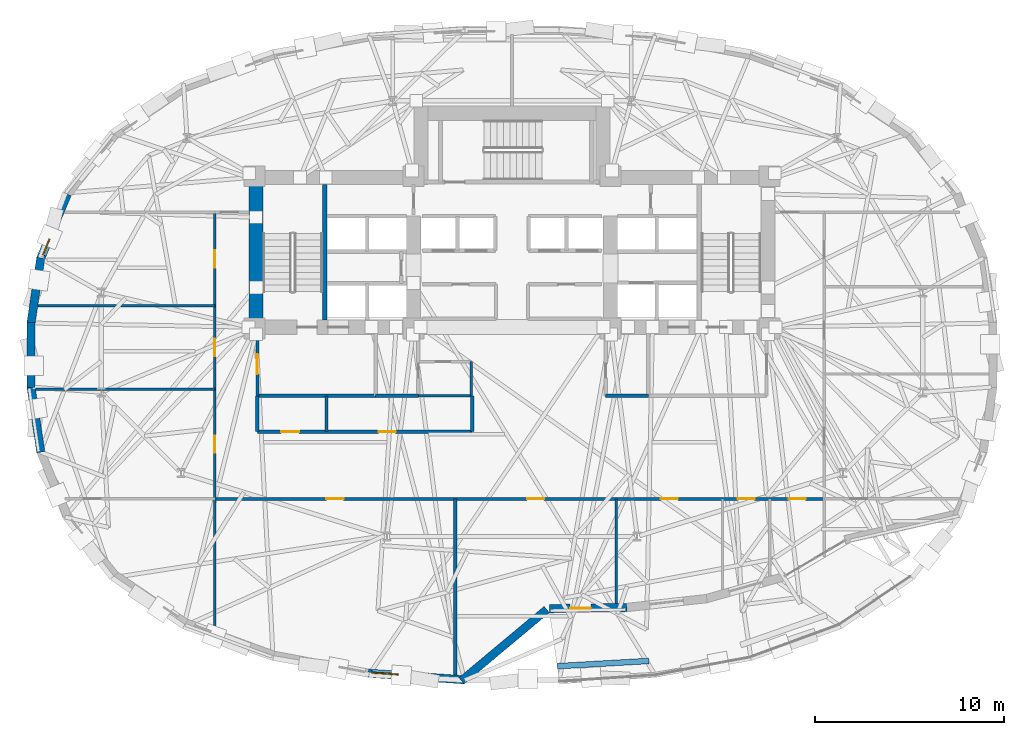
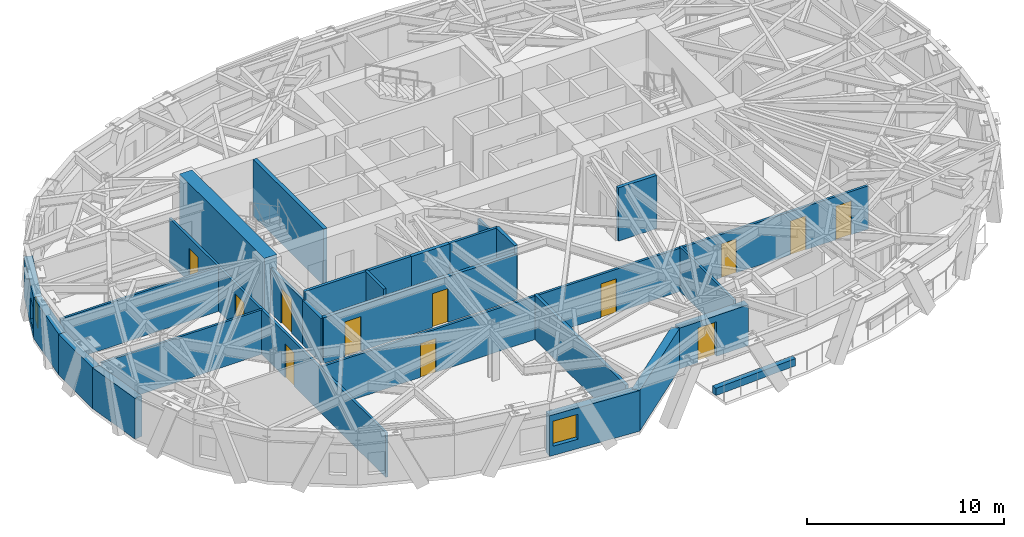
# One storey, part 7 of 14: 26 walls, 12 doors, 2 windows, 14 openings.
"""IFC4 building model written with IfcOpenShell, lengths in metres."""

import ifcopenshell
import ifcopenshell.guid

model = None  # the IFC model being written
_history = None  # IfcOwnerHistory: only IFC2X3 demands one
_inside = {}  # id of a spatial element -> (the spatial element, [elements in it])
_under = {}  # id of a project, library or spatial element -> (it, [spatial elements below it])
_declared = {}  # id of a project -> (the project, [libraries it declares])
_typed = {}  # id of a type object -> (the type object, [elements of that type])
_made_of = {}  # id of a material, layer set ... -> (it, [elements and type objects made of it])


def new_model(schema):
    """Start an empty IFC model of exactly this schema.

    Asked for "IFC4X3", IfcOpenShell would pick the latest addendum, in which some entities
    have other attributes; the version numbers below select the first issue.
    IFC2X3 requires an IfcOwnerHistory on every rooted entity: one is made here for all.
    """
    global model, _history
    if schema == "IFC4X3":
        model = ifcopenshell.file(schema_version=(4, 3, 0, 0))
    else:
        model = ifcopenshell.file(schema=schema)
    _inside.clear()
    _under.clear()
    _declared.clear()
    _typed.clear()
    _made_of.clear()
    _history = None
    if model.schema == "IFC2X3":
        org = make("IfcOrganization", Name="unknown")
        user = make(
            "IfcPersonAndOrganization",
            ThePerson=make("IfcPerson", FamilyName="unknown"),
            TheOrganization=org,
        )
        app = make(
            "IfcApplication",
            ApplicationDeveloper=org,
            Version="unknown",
            ApplicationFullName="unknown",
            ApplicationIdentifier="unknown",
        )
        _history = make(
            "IfcOwnerHistory",
            OwningUser=user,
            OwningApplication=app,
            ChangeAction="ADDED",
            CreationDate=0,
        )
    return model


def make(cls, **values):
    """One entity of the class cls with the attributes given. An attribute that is None is left unset."""
    return model.create_entity(
        cls, **{name: value for name, value in values.items() if value is not None}
    )


def rooted(cls, **values):
    """An entity with a GlobalId (a new one), such as an element, a storey or a relation."""
    return make(cls, GlobalId=ifcopenshell.guid.new(), OwnerHistory=_history, **values)


def si_unit(unit_type, name, prefix=None):
    """IfcSIUnit, for example si_unit("LENGTHUNIT", "METRE", prefix="MILLI")."""
    return make("IfcSIUnit", UnitType=unit_type, Prefix=prefix, Name=name)


def assignment(units):
    """IfcUnitAssignment: the units of a project."""
    return None if units is None else make("IfcUnitAssignment", Units=units)


def point(xyz):
    """IfcCartesianPoint."""
    return None if xyz is None else make("IfcCartesianPoint", Coordinates=xyz)


def direction(xyz):
    """IfcDirection."""
    return None if xyz is None else make("IfcDirection", DirectionRatios=xyz)


def frame(location, z_axis=None, x_axis=None):
    """IfcAxis2Placement3D, a coordinate frame: its origin and axes. An axis left out is left unset."""
    return make(
        "IfcAxis2Placement3D",
        Location=point(location),
        Axis=direction(z_axis),
        RefDirection=direction(x_axis),
    )


def frame_2d(location, x_axis=None):
    """IfcAxis2Placement2D, a coordinate frame in the plane: its origin and x axis."""
    return make(
        "IfcAxis2Placement2D", Location=point(location), RefDirection=direction(x_axis)
    )


def origin():
    """The frame at (0, 0, 0) with its axes left unset."""
    return frame((0.0, 0.0, 0.0))


def place(relative_to, where):
    """IfcLocalPlacement: puts the frame where relative to a parent placement (None: the world)."""
    return make(
        "IfcLocalPlacement", PlacementRelTo=relative_to, RelativePlacement=where
    )


def context(
    kind, dimensions, precision=None, world=None, true_north=None, identifier=None
):
    """IfcGeometricRepresentationContext, for example the 3D "Model" context."""
    return make(
        "IfcGeometricRepresentationContext",
        ContextIdentifier=identifier,
        ContextType=kind,
        CoordinateSpaceDimension=dimensions,
        Precision=precision,
        WorldCoordinateSystem=world,
        TrueNorth=true_north,
    )


def subcontext(parent, identifier, kind, view, scale=None):
    """IfcGeometricRepresentationSubContext, for example "Body" below "Model"."""
    return make(
        "IfcGeometricRepresentationSubContext",
        ContextIdentifier=identifier,
        ContextType=kind,
        ParentContext=parent,
        TargetScale=scale,
        TargetView=view,
    )


def project(units=None, contexts=None):
    """IfcProject with its units and contexts."""
    return rooted(
        "IfcProject",
        Name="project",
        RepresentationContexts=contexts,
        UnitsInContext=assignment(units),
    )


def spatial(cls, under=None, at=None, **own):
    """A site, building, storey or space (cls), placed at a placement, below another one or the project."""
    s = rooted(cls, ObjectPlacement=at, **own)
    if under is not None:
        _under.setdefault(under.id(), (under, []))[1].append(s)
    return s


def profile(cls, at=None, kind="AREA", **sizes):
    """A parametric profile (cls). Its sizes go by their IFC names, for example OverallWidth=200.0."""
    return make(cls, ProfileType=kind, Position=at, **sizes)


def rectangle(**sizes):
    """IfcRectangleProfileDef."""
    return profile("IfcRectangleProfileDef", **sizes)


def extrude(swept, where, along, depth):
    """IfcExtrudedAreaSolid: the profile swept, set in the frame where, extruded along a direction by depth."""
    return make(
        "IfcExtrudedAreaSolid",
        SweptArea=swept,
        Position=where,
        ExtrudedDirection=direction(along),
        Depth=depth,
    )


def shape(context_of_items, identifier, shape_type, items):
    """IfcShapeRepresentation: the items that make up one representation, for example the "Body"."""
    return make(
        "IfcShapeRepresentation",
        ContextOfItems=context_of_items,
        RepresentationIdentifier=identifier,
        RepresentationType=shape_type,
        Items=items,
    )


def material(Name=None, Category=None):
    """IfcMaterial."""
    return make("IfcMaterial", Name=Name, Category=Category)


def layer(
    of_material, thickness, ventilated=None, Name=None, Category=None, Priority=None
):
    """IfcMaterialLayer: one layer of a wall or slab, of a material (None: an air gap)."""
    return make(
        "IfcMaterialLayer",
        Material=of_material,
        LayerThickness=thickness,
        IsVentilated=ventilated,
        Name=Name,
        Category=Category,
        Priority=Priority,
    )


def layer_set(layers, Name=None):
    """IfcMaterialLayerSet."""
    return make("IfcMaterialLayerSet", MaterialLayers=layers, LayerSetName=Name)


def made_of(thing, what):
    """Note that an element or type object is made of a material, layer set ...; save() writes the relation."""
    if what is not None:
        _made_of.setdefault(what.id(), (what, []))[1].append(thing)
    return thing


def type_object(cls, material=None, **own):
    """A type object (cls), such as IfcWallType, which elements share."""
    return made_of(rooted(cls, **own), material)


def element(
    cls,
    number,
    at=None,
    inside=None,
    cuts=None,
    type_object=None,
    material=None,
    context=None,
    identifier="Body",
    shape_type=None,
    held_by="IfcProductDefinitionShape",
    body=None,
    shapes=None,
    **own,
):
    """One element of the class cls, such as IfcWall. Its Tag is "e" and its number.

    at: its placement. inside: the storey or other place that contains it. cuts: it is an
    opening in that element (IfcRelVoidsElement). A single representation is given by context,
    identifier, shape_type and body (its items); several are given by shapes. held_by: the class
    of the entity that holds the representations. save() writes the other relations.
    """
    e = rooted(cls, Tag="e%d" % number, ObjectPlacement=at, **own)
    if body is not None:
        shapes = [shape(context, identifier, shape_type, body)]
    if shapes is not None:
        e.Representation = make(held_by, Representations=shapes)
    if inside is not None:
        _inside.setdefault(inside.id(), (inside, []))[1].append(e)
    if cuts is not None:
        rooted(
            "IfcRelVoidsElement", RelatingBuildingElement=cuts, RelatedOpeningElement=e
        )
    if type_object is not None:
        _typed.setdefault(type_object.id(), (type_object, []))[1].append(e)
    return made_of(e, material)


def fill(opening, filler):
    """IfcRelFillsElement: the door or window that sits in an opening."""
    return rooted(
        "IfcRelFillsElement",
        RelatingOpeningElement=opening,
        RelatedBuildingElement=filler,
    )


def aggregate(whole, parts):
    """IfcRelAggregates: a whole, such as a stair, and the parts it consists of."""
    return rooted("IfcRelAggregates", RelatingObject=whole, RelatedObjects=parts)


def save(model, path):
    """Write the relations noted so far, then the file.

    IfcRelAggregates (storeys below a building ...), IfcRelContainedInSpatialStructure (elements
    in a storey), IfcRelDefinesByType, IfcRelAssociatesMaterial and IfcRelDeclares: one each for
    every whole, place, type object, material and project.
    """
    for whole, parts in _under.values():
        aggregate(whole, parts)
    for where, things in _inside.values():
        rooted(
            "IfcRelContainedInSpatialStructure",
            RelatedElements=things,
            RelatingStructure=where,
        )
    for kind, things in _typed.values():
        rooted("IfcRelDefinesByType", RelatedObjects=things, RelatingType=kind)
    for what, things in _made_of.values():
        rooted("IfcRelAssociatesMaterial", RelatedObjects=things, RelatingMaterial=what)
    for by, libraries in _declared.values():
        rooted("IfcRelDeclares", RelatingContext=by, RelatedDefinitions=libraries)
    model.write(path)


model = new_model("IFC4")

# Units and contexts
model_context = context("Model", 3, precision=1e-05, world=origin(), true_north=direction((0.0, 1.0)))
body_context = subcontext(model_context, "Body", "Model", "MODEL_VIEW")
ifc_project = project(units=[si_unit("LENGTHUNIT", "METRE"), si_unit("AREAUNIT", "SQUARE_METRE"), si_unit("VOLUMEUNIT", "CUBIC_METRE"), si_unit("PLANEANGLEUNIT", "RADIAN"), si_unit("MASSUNIT", "GRAM", prefix="KILO")], contexts=[model_context])

# Site, building, storey
site_placement = place(None, origin())
site = spatial("IfcSite", under=ifc_project, at=site_placement, CompositionType="ELEMENT")
building_placement = place(site_placement, origin())
building = spatial("IfcBuilding", under=site, at=building_placement, Name="Keldmark Tower", CompositionType="ELEMENT")
storey_placement = place(building_placement, frame((0.0, 0.0, 128.10009765625)))
storey = spatial("IfcBuildingStorey", under=building, at=storey_placement, Name="L34", CompositionType="ELEMENT", Elevation=128.10009765625)

# Wall, openings, doors
ifc_material_1 = material(Name="Acoustic Double-Layer Gypsum Corridor Partition", Category="gypsum")
ifc_layer_1 = layer(ifc_material_1, 0.139892578125)
ifc_layer_set_1 = layer_set([ifc_layer_1], Name="Acoustic Double-Layer Gypsum Corridor Partition")
wall_type_1 = type_object("IfcWallType", Name="Acoustic Corridor Partition 140 mm", PredefinedType="PARTITIONING", material=ifc_layer_set_1)
wall_1_placement = place(storey_placement, frame((-15.699951171875, -7.60009765625, 0.0), z_axis=(0.0, 0.0, 1.0), x_axis=(1.0, 0.0, 0.0)))
wall_1 = element("IfcWall", 1, at=wall_1_placement, inside=storey, type_object=wall_type_1, Name="L34 Acoustic Corridor Partition 140 mm COR-S", PredefinedType="PARTITIONING", context=body_context, shape_type="SweptSolid", body=[
    extrude(rectangle(XDim=32.199951171875, YDim=0.139892578125, at=frame_2d((16.10009765625, 0.0))), origin(), (0.0, 0.0, 1.0), 2.68798828125),
])
opening_1_placement = place(wall_1_placement, frame((5.89990234375, 0.0, 0.0)))
opening_1 = element("IfcOpeningElement", 2, at=opening_1_placement, cuts=wall_1, Name="Opening D-IN090", PredefinedType="OPENING", context=body_context, shape_type="SweptSolid", body=[
    extrude(rectangle(XDim=0.89990234375, YDim=2.10009765625, at=frame_2d((0.449951171875, 1.050048828125))), frame((0.0, 0.079833984375, 0.0), z_axis=(0.0, -1.0, 0.0), x_axis=(1.0, 0.0, 0.0)), (0.0, 0.0, 1.0), 0.159912109375),
])
opening_2_placement = place(wall_1_placement, frame((16.5, 0.0, 0.0)))
opening_2 = element("IfcOpeningElement", 3, at=opening_2_placement, cuts=wall_1, Name="Opening D-IN090", PredefinedType="OPENING", context=body_context, shape_type="SweptSolid", body=[
    extrude(rectangle(XDim=0.89990234375, YDim=2.10009765625, at=frame_2d((0.449951171875, 1.050048828125))), frame((0.0, 0.079833984375, 0.0), z_axis=(0.0, -1.0, 0.0), x_axis=(1.0, 0.0, 0.0)), (0.0, 0.0, 1.0), 0.159912109375),
])
opening_3_placement = place(wall_1_placement, frame((23.55908203125, 0.0, 0.0)))
opening_3 = element("IfcOpeningElement", 4, at=opening_3_placement, cuts=wall_1, Name="Opening D-IN090", PredefinedType="OPENING", context=body_context, shape_type="SweptSolid", body=[
    extrude(rectangle(XDim=0.89990234375, YDim=2.10009765625, at=frame_2d((0.449951171875, 1.050048828125))), frame((0.0, 0.079833984375, 0.0), z_axis=(0.0, -1.0, 0.0), x_axis=(1.0, 0.0, 0.0)), (0.0, 0.0, 1.0), 0.159912109375),
])
opening_4_placement = place(wall_1_placement, frame((27.618896484375, 0.0, 0.0)))
opening_4 = element("IfcOpeningElement", 5, at=opening_4_placement, cuts=wall_1, Name="Opening D-IN090", PredefinedType="OPENING", context=body_context, shape_type="SweptSolid", body=[
    extrude(rectangle(XDim=0.89990234375, YDim=2.10009765625, at=frame_2d((0.449951171875, 1.050048828125))), frame((0.0, 0.079833984375, 0.0), z_axis=(0.0, -1.0, 0.0), x_axis=(1.0, 0.0, 0.0)), (0.0, 0.0, 1.0), 0.159912109375),
])
opening_5_placement = place(wall_1_placement, frame((30.30908203125, 0.0, 0.0)))
opening_5 = element("IfcOpeningElement", 6, at=opening_5_placement, cuts=wall_1, Name="Opening D-IN090", PredefinedType="OPENING", context=body_context, shape_type="SweptSolid", body=[
    extrude(rectangle(XDim=0.89990234375, YDim=2.10009765625, at=frame_2d((0.449951171875, 1.050048828125))), frame((0.0, 0.079833984375, 0.0), z_axis=(0.0, -1.0, 0.0), x_axis=(1.0, 0.0, 0.0)), (0.0, 0.0, 1.0), 0.159912109375),
])
ifc_material_2 = material(Name="Stained American White Oak Veneer", Category="wood")
door_type_1 = type_object("IfcDoorType", Name="Interior Door 900x2100", OperationType="NOTDEFINED", PredefinedType="DOOR", material=ifc_material_2)
door_1_placement = place(opening_1_placement, origin())
door_1 = element("IfcDoor", 7, at=door_1_placement, inside=storey, type_object=door_type_1, Name="L34 Interior Door 900x2100 D-SR-1-L34", OperationType="SINGLE_SWING_LEFT", OverallHeight=2.10009765625, OverallWidth=0.89990234375, PredefinedType="DOOR", context=body_context, shape_type="SweptSolid", body=[
    extrude(rectangle(XDim=0.89990234375, YDim=2.10009765625, at=frame_2d((0.449951171875, 1.050048828125))), frame((0.0, 0.02490234375, 0.0), z_axis=(0.0, -1.0, 0.0), x_axis=(1.0, 0.0, 0.0)), (0.0, 0.0, 1.0), 0.050048828125),
])
fill(opening_1, door_1)
door_2_placement = place(opening_2_placement, origin())
door_2 = element("IfcDoor", 8, at=door_2_placement, inside=storey, type_object=door_type_1, Name="L34 Interior Door 900x2100 D-SR-2-L34", OperationType="SINGLE_SWING_RIGHT", OverallHeight=2.10009765625, OverallWidth=0.89990234375, PredefinedType="DOOR", context=body_context, shape_type="SweptSolid", body=[
    extrude(rectangle(XDim=0.89990234375, YDim=2.10009765625, at=frame_2d((0.449951171875, 1.050048828125))), frame((0.0, 0.02490234375, 0.0), z_axis=(0.0, -1.0, 0.0), x_axis=(1.0, 0.0, 0.0)), (0.0, 0.0, 1.0), 0.050048828125),
])
fill(opening_2, door_2)
door_3_placement = place(opening_3_placement, origin())
door_3 = element("IfcDoor", 9, at=door_3_placement, inside=storey, type_object=door_type_1, Name="L34 Interior Door 900x2100 D-SR-3-L34", OperationType="SINGLE_SWING_LEFT", OverallHeight=2.10009765625, OverallWidth=0.89990234375, PredefinedType="DOOR", context=body_context, shape_type="SweptSolid", body=[
    extrude(rectangle(XDim=0.89990234375, YDim=2.10009765625, at=frame_2d((0.449951171875, 1.050048828125))), frame((0.0, 0.02490234375, 0.0), z_axis=(0.0, -1.0, 0.0), x_axis=(1.0, 0.0, 0.0)), (0.0, 0.0, 1.0), 0.050048828125),
])
fill(opening_3, door_3)
door_4_placement = place(opening_4_placement, origin())
door_4 = element("IfcDoor", 10, at=door_4_placement, inside=storey, type_object=door_type_1, Name="L34 Interior Door 900x2100 D-STERR-L34", OperationType="SINGLE_SWING_LEFT", OverallHeight=2.10009765625, OverallWidth=0.89990234375, PredefinedType="DOOR", context=body_context, shape_type="SweptSolid", body=[
    extrude(rectangle(XDim=0.89990234375, YDim=2.10009765625, at=frame_2d((0.449951171875, 1.050048828125))), frame((0.0, 0.02490234375, 0.0), z_axis=(0.0, -1.0, 0.0), x_axis=(1.0, 0.0, 0.0)), (0.0, 0.0, 1.0), 0.050048828125),
])
fill(opening_4, door_4)
door_5_placement = place(opening_5_placement, origin())
door_5 = element("IfcDoor", 11, at=door_5_placement, inside=storey, type_object=door_type_1, Name="L34 Interior Door 900x2100 D-SR-5-L34", OperationType="SINGLE_SWING_RIGHT", OverallHeight=2.10009765625, OverallWidth=0.89990234375, PredefinedType="DOOR", context=body_context, shape_type="SweptSolid", body=[
    extrude(rectangle(XDim=0.89990234375, YDim=2.10009765625, at=frame_2d((0.449951171875, 1.050048828125))), frame((0.0, 0.02490234375, 0.0), z_axis=(0.0, -1.0, 0.0), x_axis=(1.0, 0.0, 0.0)), (0.0, 0.0, 1.0), 0.050048828125),
])
fill(opening_5, door_5)

wall_2_placement = place(storey_placement, frame((-15.699951171875, -14.47021484375, 0.0), z_axis=(0.0, 0.0, 1.0), x_axis=(0.0, 1.0, 0.0)))
wall_2 = element("IfcWall", 12, at=wall_2_placement, inside=storey, type_object=wall_type_1, Name="L34 Acoustic Corridor Partition 140 mm COR-W", PredefinedType="PARTITIONING", context=body_context, shape_type="SweptSolid", body=[
    extrude(rectangle(XDim=22.020263671875, YDim=0.139892578125, at=frame_2d((11.01025390625, 0.0))), origin(), (0.0, 0.0, 1.0), 2.762939453125),
])
opening_6_placement = place(wall_2_placement, frame((9.3203125, 0.0, 0.0)))
opening_6 = element("IfcOpeningElement", 13, at=opening_6_placement, cuts=wall_2, Name="Opening D-IN090", PredefinedType="OPENING", context=body_context, shape_type="SweptSolid", body=[
    extrude(rectangle(XDim=0.89990234375, YDim=2.10009765625, at=frame_2d((0.449951171875, 1.050048828125))), frame((0.0, 0.079833984375, 0.0), z_axis=(0.0, -1.0, 0.0), x_axis=(1.0, 0.0, 0.0)), (0.0, 0.0, 1.0), 0.159912109375),
])
opening_7_placement = place(wall_2_placement, frame((14.420166015625, 0.0, 0.0)))
opening_7 = element("IfcOpeningElement", 14, at=opening_7_placement, cuts=wall_2, Name="Opening D-IN090", PredefinedType="OPENING", context=body_context, shape_type="SweptSolid", body=[
    extrude(rectangle(XDim=0.89990234375, YDim=2.10009765625, at=frame_2d((0.449951171875, 1.050048828125))), frame((0.0, 0.079833984375, 0.0), z_axis=(0.0, -1.0, 0.0), x_axis=(1.0, 0.0, 0.0)), (0.0, 0.0, 1.0), 0.159912109375),
])
opening_8_placement = place(wall_2_placement, frame((19.09521484375, 0.0, 0.0)))
opening_8 = element("IfcOpeningElement", 15, at=opening_8_placement, cuts=wall_2, Name="Opening D-IN090", PredefinedType="OPENING", context=body_context, shape_type="SweptSolid", body=[
    extrude(rectangle(XDim=0.89990234375, YDim=2.10009765625, at=frame_2d((0.449951171875, 1.050048828125))), frame((0.0, 0.079833984375, 0.0), z_axis=(0.0, -1.0, 0.0), x_axis=(1.0, 0.0, 0.0)), (0.0, 0.0, 1.0), 0.159912109375),
])
door_6_placement = place(opening_6_placement, origin())
door_6 = element("IfcDoor", 16, at=door_6_placement, inside=storey, type_object=door_type_1, Name="L34 Interior Door 900x2100 D-WR-1-L34", OperationType="SINGLE_SWING_RIGHT", OverallHeight=2.10009765625, OverallWidth=0.89990234375, PredefinedType="DOOR", context=body_context, shape_type="SweptSolid", body=[
    extrude(rectangle(XDim=0.89990234375, YDim=2.10009765625, at=frame_2d((0.449951171875, 1.050048828125))), frame((0.0, 0.02490234375, 0.0), z_axis=(0.0, -1.0, 0.0), x_axis=(1.0, 0.0, 0.0)), (0.0, 0.0, 1.0), 0.050048828125),
])
fill(opening_6, door_6)
door_7_placement = place(opening_7_placement, origin())
door_7 = element("IfcDoor", 17, at=door_7_placement, inside=storey, type_object=door_type_1, Name="L34 Interior Door 900x2100 D-WR-2-L34", OperationType="SINGLE_SWING_RIGHT", OverallHeight=2.10009765625, OverallWidth=0.89990234375, PredefinedType="DOOR", context=body_context, shape_type="SweptSolid", body=[
    extrude(rectangle(XDim=0.89990234375, YDim=2.10009765625, at=frame_2d((0.449951171875, 1.050048828125))), frame((0.0, 0.02490234375, 0.0), z_axis=(0.0, -1.0, 0.0), x_axis=(1.0, 0.0, 0.0)), (0.0, 0.0, 1.0), 0.050048828125),
])
fill(opening_7, door_7)
door_8_placement = place(opening_8_placement, origin())
door_8 = element("IfcDoor", 18, at=door_8_placement, inside=storey, type_object=door_type_1, Name="L34 Interior Door 900x2100 D-WR-3-L34", OperationType="SINGLE_SWING_LEFT", OverallHeight=2.10009765625, OverallWidth=0.89990234375, PredefinedType="DOOR", context=body_context, shape_type="SweptSolid", body=[
    extrude(rectangle(XDim=0.89990234375, YDim=2.10009765625, at=frame_2d((0.449951171875, 1.050048828125))), frame((0.0, 0.02490234375, 0.0), z_axis=(0.0, -1.0, 0.0), x_axis=(1.0, 0.0, 0.0)), (0.0, 0.0, 1.0), 0.050048828125),
])
fill(opening_8, door_8)

# Wall
ifc_material_3 = material(Name="STC-58 Insulated Tenant Demising Gypsum Partition", Category="gypsum")
ifc_layer_2 = layer(ifc_material_3, 0.175048828125)
ifc_layer_set_2 = layer_set([ifc_layer_2], Name="STC-58 Insulated Tenant Demising Gypsum Partition")
wall_type_2 = type_object("IfcWallType", Name="Demising Suite Partition 175 mm", PredefinedType="PARTITIONING", material=ifc_layer_set_2)
wall_3_placement = place(storey_placement, frame((-3.0, -16.893310546875, 0.0), z_axis=(0.0, 0.0, 1.0), x_axis=(0.0, 1.0, 0.0)))
element("IfcWall", 19, at=wall_3_placement, inside=storey, type_object=wall_type_2, Name="L34 Demising Suite Partition 175 mm S-DIV-1", PredefinedType="PARTITIONING", context=body_context, shape_type="SweptSolid", body=[
    extrude(rectangle(XDim=9.293212890625, YDim=0.175048828125, at=frame_2d((4.646484375, 0.0))), origin(), (0.0, 0.0, 1.0), 2.762939453125),
])

# Wall, openings, doors
ifc_material_4 = material(Name="Heavy Acoustic Plumbing Chase Gypsum Assembly", Category="gypsum")
ifc_layer_3 = layer(ifc_material_4, 0.18994140625)
ifc_layer_set_3 = layer_set([ifc_layer_3], Name="Heavy Acoustic Plumbing Chase Gypsum Assembly")
wall_type_3 = type_object("IfcWallType", Name="Heavy Wet Wall 190 mm", PredefinedType="PLUMBINGWALL", material=ifc_layer_set_3)
wall_4_placement = place(storey_placement, frame((-13.449951171875, -4.050048828125, 0.0), z_axis=(0.0, 0.0, 1.0), x_axis=(1.0, 0.0, 0.0)))
wall_4 = element("IfcWall", 20, at=wall_4_placement, inside=storey, type_object=wall_type_3, Name="L34 Heavy Wet Wall 190 mm SPK-W-S", PredefinedType="PLUMBINGWALL", context=body_context, shape_type="SweptSolid", body=[
    extrude(rectangle(XDim=11.349853515625, YDim=0.18994140625, at=frame_2d((5.6748046875, 0.0))), origin(), (0.0, 0.0, 1.0), 2.843017578125),
])
opening_9_placement = place(wall_4_placement, frame((1.25, 0.0, 0.0)))
opening_9 = element("IfcOpeningElement", 21, at=opening_9_placement, cuts=wall_4, Name="Opening D-AWC95", PredefinedType="OPENING", context=body_context, shape_type="SweptSolid", body=[
    extrude(rectangle(XDim=0.949951171875, YDim=2.14990234375, at=frame_2d((0.47509765625, 1.074951171875))), frame((0.0, 0.10498046875, 0.0), z_axis=(0.0, -1.0, 0.0), x_axis=(1.0, 0.0, 0.0)), (0.0, 0.0, 1.0), 0.2099609375),
])
opening_10_placement = place(wall_4_placement, frame((6.39990234375, 0.0, 0.0)))
opening_10 = element("IfcOpeningElement", 22, at=opening_10_placement, cuts=wall_4, Name="Opening D-IN090", PredefinedType="OPENING", context=body_context, shape_type="SweptSolid", body=[
    extrude(rectangle(XDim=0.89990234375, YDim=2.10009765625, at=frame_2d((0.449951171875, 1.050048828125))), frame((0.0, 0.10498046875, 0.0), z_axis=(0.0, -1.0, 0.0), x_axis=(1.0, 0.0, 0.0)), (0.0, 0.0, 1.0), 0.2099609375),
])
ifc_material_5 = material(Name="Painted Solid-Core Architectural Wood", Category="wood")
door_type_2 = type_object("IfcDoorType", Name="Accessible WC Door 950x2150", OperationType="NOTDEFINED", PredefinedType="DOOR", material=ifc_material_5)
door_9_placement = place(opening_9_placement, origin())
door_9 = element("IfcDoor", 23, at=door_9_placement, inside=storey, type_object=door_type_2, Name="L34 Accessible WC Door 950x2150 D-SPKW1-L34", OperationType="SINGLE_SWING_RIGHT", OverallHeight=2.14990234375, OverallWidth=0.949951171875, PredefinedType="DOOR", context=body_context, shape_type="SweptSolid", body=[
    extrude(rectangle(XDim=0.949951171875, YDim=2.14990234375, at=frame_2d((0.47509765625, 1.074951171875))), frame((0.0, 0.02490234375, 0.0), z_axis=(0.0, -1.0, 0.0), x_axis=(1.0, 0.0, 0.0)), (0.0, 0.0, 1.0), 0.050048828125),
])
fill(opening_9, door_9)
door_10_placement = place(opening_10_placement, origin())
door_10 = element("IfcDoor", 24, at=door_10_placement, inside=storey, type_object=door_type_1, Name="L34 Interior Door 900x2100 D-SPKW2-L34", OperationType="SINGLE_SWING_RIGHT", OverallHeight=2.10009765625, OverallWidth=0.89990234375, PredefinedType="DOOR", context=body_context, shape_type="SweptSolid", body=[
    extrude(rectangle(XDim=0.89990234375, YDim=2.10009765625, at=frame_2d((0.449951171875, 1.050048828125))), frame((0.0, 0.02490234375, 0.0), z_axis=(0.0, -1.0, 0.0), x_axis=(1.0, 0.0, 0.0)), (0.0, 0.0, 1.0), 0.050048828125),
])
fill(opening_10, door_10)

# Walls
wall_5_placement = place(storey_placement, frame((-13.449951171875, -4.050048828125, 0.0), z_axis=(0.0, 0.0, 1.0), x_axis=(0.0, 1.0, 0.0)))
element("IfcWall", 25, at=wall_5_placement, inside=storey, type_object=wall_type_3, Name="L34 Heavy Wet Wall 190 mm SPK-W-W", PredefinedType="PLUMBINGWALL", context=body_context, shape_type="SweptSolid", body=[
    extrude(rectangle(XDim=1.900146484375, YDim=0.18994140625, at=frame_2d((0.9501953125, 0.0))), origin(), (0.0, 0.0, 1.0), 2.762939453125),
])
wall_6_placement = place(storey_placement, frame((-2.10009765625, -4.050048828125, 0.0), z_axis=(0.0, 0.0, 1.0), x_axis=(0.0, 1.0, 0.0)))
element("IfcWall", 26, at=wall_6_placement, inside=storey, type_object=wall_type_3, Name="L34 Heavy Wet Wall 190 mm SPK-W-E", PredefinedType="PLUMBINGWALL", context=body_context, shape_type="SweptSolid", body=[
    extrude(rectangle(XDim=1.900146484375, YDim=0.18994140625, at=frame_2d((0.9501953125, 0.0))), origin(), (0.0, 0.0, 1.0), 3.309814453125),
])
ifc_material_6 = material(Name="Acoustic Gypsum Board Interior Partition", Category="gypsum")
ifc_layer_4 = layer(ifc_material_6, 0.1298828125)
ifc_layer_set_4 = layer_set([ifc_layer_4], Name="Acoustic Gypsum Board Interior Partition")
wall_type_4 = type_object("IfcWallType", Name="Interior Partition 130 mm", PredefinedType="PARTITIONING", material=ifc_layer_set_4)
wall_7_placement = place(storey_placement, frame((-2.14990234375, -2.14990234375, 0.0), z_axis=(0.0, 0.0, 1.0), x_axis=(0.0, 1.0, 0.0)))
element("IfcWall", 27, at=wall_7_placement, inside=storey, type_object=wall_type_4, Name="L34 Interior Partition 130 mm CSC-W-E", PredefinedType="PARTITIONING", context=body_context, shape_type="SweptSolid", body=[
    extrude(rectangle(XDim=1.7998046875, YDim=0.1298828125, at=frame_2d((0.89990234375, 0.0))), origin(), (0.0, 0.0, 1.0), 2.762939453125),
])
wall_8_placement = place(storey_placement, frame((5.5, -13.11669921875, 0.0), z_axis=(0.0, 0.0, 1.0), x_axis=(0.0, 1.0, 0.0)))
element("IfcWall", 28, at=wall_8_placement, inside=storey, type_object=wall_type_4, Name="L34 Interior Partition 130 mm S-DIV-2", PredefinedType="PARTITIONING", context=body_context, shape_type="SweptSolid", body=[
    extrude(rectangle(XDim=5.5166015625, YDim=0.1298828125, at=frame_2d((2.75830078125, 0.0))), origin(), (0.0, 0.0, 1.0), 2.762939453125),
])
wall_9_placement = place(storey_placement, frame((-25.160400390625, -1.800048828125, 0.0), z_axis=(0.0, 0.0, 1.0), x_axis=(1.0, 0.0, 0.0)))
element("IfcWall", 29, at=wall_9_placement, inside=storey, type_object=wall_type_4, Name="L34 Interior Partition 130 mm W-DIV-1", PredefinedType="PARTITIONING", context=body_context, shape_type="SweptSolid", body=[
    extrude(rectangle(XDim=9.46044921875, YDim=0.1298828125, at=frame_2d((4.730224609375, 0.0))), origin(), (0.0, 0.0, 1.0), 2.762939453125),
])
wall_10_placement = place(storey_placement, frame((-25.040771484375, 2.60009765625, 0.0), z_axis=(0.0, 0.0, 1.0), x_axis=(1.0, 0.0, 0.0)))
element("IfcWall", 30, at=wall_10_placement, inside=storey, type_object=wall_type_4, Name="L34 Interior Partition 130 mm W-DIV-2", PredefinedType="PARTITIONING", context=body_context, shape_type="SweptSolid", body=[
    extrude(rectangle(XDim=9.3408203125, YDim=0.1298828125, at=frame_2d((4.67041015625, 0.0))), origin(), (0.0, 0.0, 1.0), 2.762939453125),
])
ifc_material_7 = material(Name="Concrete C70/85", Category="concrete")
ifc_layer_5 = layer(ifc_material_7, 0.75)
ifc_layer_set_5 = layer_set([ifc_layer_5], Name="Concrete C70/85")
wall_type_5 = type_object("IfcWallType", Name="Low-Mid Core Shear Wall 750 mm", PredefinedType="SHEAR", material=ifc_layer_set_5)
wall_11_placement = place(storey_placement, frame((-13.52490234375, 1.10009765625, 0.0), z_axis=(0.0, 0.0, 1.0), x_axis=(0.0, 1.0, 0.0)))
element("IfcWall", 31, at=wall_11_placement, inside=storey, type_object=wall_type_5, Name="L34 West Core Outer Shear Wall", PredefinedType="SHEAR", context=body_context, shape_type="SweptSolid", body=[
    extrude(rectangle(XDim=8.64990234375, YDim=0.75, at=frame_2d((4.324951171875, 0.0))), origin(), (0.0, 0.0, 1.0), 3.5),
])
ifc_material_8 = material(Name="Type X Fire-Rated Gypsum Partition Assembly", Category="gypsum")
ifc_layer_6 = layer(ifc_material_8, 0.1650390625)
ifc_layer_set_6 = layer_set([ifc_layer_6], Name="Type X Fire-Rated Gypsum Partition Assembly")
wall_type_6 = type_object("IfcWallType", Name="Rated Partition 165 mm", PredefinedType="PARTITIONING", material=ifc_layer_set_6)
wall_12_placement = place(storey_placement, frame((-13.449951171875, -2.14990234375, 0.0), z_axis=(0.0, 0.0, 1.0), x_axis=(1.0, 0.0, 0.0)))
element("IfcWall", 32, at=wall_12_placement, inside=storey, type_object=wall_type_6, Name="L34 Rated Partition 165 mm FSAE-W-S", PredefinedType="PARTITIONING", context=body_context, shape_type="SweptSolid", body=[
    extrude(rectangle(XDim=6.25, YDim=0.1650390625, at=frame_2d((3.125, 0.0))), origin(), (0.0, 0.0, 1.0), 3.309814453125),
])

# Wall, opening, door
wall_13_placement = place(storey_placement, frame((-13.449951171875, -2.14990234375, 0.0), z_axis=(0.0, 0.0, 1.0), x_axis=(0.0, 1.0, 0.0)))
wall_13 = element("IfcWall", 33, at=wall_13_placement, inside=storey, type_object=wall_type_6, Name="L34 Rated Partition 165 mm FSAE-W-W", PredefinedType="PARTITIONING", context=body_context, shape_type="SweptSolid", body=[
    extrude(rectangle(XDim=3.2998046875, YDim=0.1650390625, at=frame_2d((1.64990234375, 0.0))), origin(), (0.0, 0.0, 1.0), 2.762939453125),
])
opening_11_placement = place(wall_13_placement, frame((1.14990234375, 0.0, 0.0)))
opening_11 = element("IfcOpeningElement", 34, at=opening_11_placement, cuts=wall_13, Name="Opening D-FL105", PredefinedType="OPENING", context=body_context, shape_type="SweptSolid", body=[
    extrude(rectangle(XDim=1.050048828125, YDim=2.14990234375, at=frame_2d((0.52490234375, 1.074951171875))), frame((0.0, 0.092529296875, 0.0), z_axis=(0.0, -1.0, 0.0), x_axis=(1.0, 0.0, 0.0)), (0.0, 0.0, 1.0), 0.18505859375),
])
ifc_material_9 = material(Name="Fire-Rated Mineral-Core Door and Vision Lite", Category="metal")
door_type_3 = type_object("IfcDoorType", Name="Fire Lobby Door 1050x2150", OperationType="NOTDEFINED", PredefinedType="DOOR", material=ifc_material_9)
door_11_placement = place(opening_11_placement, origin())
door_11 = element("IfcDoor", 35, at=door_11_placement, inside=storey, type_object=door_type_3, Name="L34 Fire Lobby Door 1050x2150 D-FSAEW-OUT-L34", OperationType="SINGLE_SWING_LEFT", OverallHeight=2.14990234375, OverallWidth=1.050048828125, PredefinedType="DOOR", context=body_context, shape_type="SweptSolid", body=[
    extrude(rectangle(XDim=1.050048828125, YDim=2.14990234375, at=frame_2d((0.52490234375, 1.074951171875))), frame((0.0, 0.02490234375, 0.0), z_axis=(0.0, -1.0, 0.0), x_axis=(1.0, 0.0, 0.0)), (0.0, 0.0, 1.0), 0.050048828125),
])
fill(opening_11, door_11)

# Walls
ifc_material_10 = material(Name="Fire-Resistant Type X Gypsum Shaftliner Coreboard", Category="gypsum")
ifc_layer_7 = layer(ifc_material_10, 0.199951171875)
ifc_layer_set_7 = layer_set([ifc_layer_7], Name="Fire-Resistant Type X Gypsum Shaftliner Coreboard")
wall_type_7 = type_object("IfcWallType", Name="Shaft Wall 200 mm", PredefinedType="SOLIDWALL", material=ifc_layer_set_7)
for number, where, z_axis, x_axis, name in (
    (36, (-7.199951171875, -2.14990234375, 0.0), (0.0, 0.0, 1.0), (1.0, 0.0, 0.0), "L34 Shaft Wall 200 mm RIS-SW-S"),
    (37, (4.949951171875, -2.14990234375, 0.0), (0.0, 0.0, 1.0), (1.0, 0.0, 0.0), "L34 Shaft Wall 200 mm RIS-SE-S"),
):
    element("IfcWall", number, at=place(storey_placement, frame(where, z_axis=z_axis, x_axis=x_axis)), inside=storey, type_object=wall_type_7, Name=name, PredefinedType="SOLIDWALL", context=body_context, shape_type="SweptSolid", body=[
        extrude(rectangle(XDim=2.25, YDim=0.199951171875, at=frame_2d((1.125, 0.0))), origin(), (0.0, 0.0, 1.0), 3.309814453125),
    ])
ifc_material_11 = material(Name="Concrete C50/60", Category="concrete")
ifc_layer_8 = layer(ifc_material_11, 0.219970703125)
ifc_layer_set_8 = layer_set([ifc_layer_8], Name="Concrete C50/60")
wall_type_8 = type_object("IfcWallType", Name="Stair Core Shear Wall 220 mm", PredefinedType="SHEAR", material=ifc_layer_set_8)
wall_14_placement = place(storey_placement, frame((-9.889892578125, 1.85009765625, 0.0), z_axis=(0.0, 0.0, 1.0), x_axis=(0.0, 1.0, 0.0)))
element("IfcWall", 38, at=wall_14_placement, inside=storey, type_object=wall_type_8, Name="L34 West Stair Core Shear Wall", PredefinedType="SHEAR", context=body_context, shape_type="SweptSolid", body=[
    extrude(rectangle(XDim=7.14990234375, YDim=0.219970703125, at=frame_2d((3.574951171875, 0.0))), origin(), (0.0, 0.0, 1.0), 3.5),
])
ifc_material_12 = material(Name="Ironspot Manganese Brick Planter Masonry", Category="masonry")
ifc_layer_9 = layer(ifc_material_12, 0.300048828125)
ifc_layer_set_9 = layer_set([ifc_layer_9], Name="Ironspot Manganese Brick Planter Masonry")
wall_type_9 = type_object("IfcWallType", Name="Terrace Brick Planter Kerb Wall 300 mm", PredefinedType="PARAPET", material=ifc_layer_set_9)
wall_15_placement = place(storey_placement, frame((2.387451171875, -16.43505859375, 0.0), z_axis=(0.0, 0.0, 1.0), x_axis=(0.998369203745, 0.0570870652, 0.0)))
element("IfcWall", 39, at=wall_15_placement, inside=storey, type_object=wall_type_9, Name="L34 Sky Garden Planter 01", PredefinedType="PARAPET", context=body_context, shape_type="SweptSolid", body=[
    extrude(rectangle(XDim=4.849609375, YDim=0.300048828125, at=frame_2d((2.4248046875, 0.0))), origin(), (0.0, 0.0, 1.0), 0.449951171875),
])

# Wall, opening, window
ifc_material_13 = material(Name="Ironspot Manganese Brick and Kasota Buff Limestone Spandrel Assembly", Category="masonry")
ifc_layer_10 = layer(ifc_material_13, 0.43994140625)
ifc_layer_set_10 = layer_set([ifc_layer_10], Name="Ironspot Manganese Brick and Kasota Buff Limestone Spandrel Assembly")
wall_type_10 = type_object("IfcWallType", Name="Tower Brick Pier and Spandrel Wall 440 mm", PredefinedType="STANDARD", material=ifc_layer_set_10)
wall_16_placement = place(storey_placement, frame((-24.90771484375, 5.08056640625, 0.0), z_axis=(0.0, 0.0, 1.0), x_axis=(0.382433297136, 0.923983102249, 0.0)))
wall_16 = element("IfcWall", 40, at=wall_16_placement, inside=storey, type_object=wall_type_10, Name="L34 Exterior Brick and Spandrel Wall 14", PredefinedType="STANDARD", context=body_context, shape_type="SweptSolid", body=[
    extrude(rectangle(XDim=3.703857421875, YDim=0.43994140625, at=frame_2d((1.85205078125, 0.0))), origin(), (0.0, 0.0, 1.0), 2.52783203125),
])
opening_12_placement = place(wall_16_placement, frame((0.2490234375, 0.0, 0.419921875)))
opening_12 = element("IfcOpeningElement", 41, at=opening_12_placement, cuts=wall_16, Name="Opening W-09", PredefinedType="OPENING", context=body_context, shape_type="SweptSolid", body=[
    extrude(rectangle(XDim=0.89990234375, YDim=1.35009765625, at=frame_2d((0.449951171875, 0.675048828125))), frame((0.0, 0.22998046875, 0.0), z_axis=(0.0, -1.0, 0.0), x_axis=(1.0, 0.0, 0.0)), (0.0, 0.0, 1.0), 0.4599609375),
])
ifc_material_14 = material(Name="Thermally Broken Anodized Aluminum and Triple Low-E Argon Glazing", Category="aluminium")
window_type_1 = type_object("IfcWindowType", Name="Corner Pier Deep-Set Window 900x1350", PartitioningType="SINGLE_PANEL", PredefinedType="WINDOW", material=ifc_material_14)
window_1_placement = place(opening_12_placement, origin())
window_1 = element("IfcWindow", 42, at=window_1_placement, inside=storey, type_object=window_type_1, Name="L34 Deep-Set Window 14", OverallHeight=1.35009765625, OverallWidth=0.89990234375, PartitioningType="SINGLE_PANEL", PredefinedType="WINDOW", context=body_context, shape_type="SweptSolid", body=[
    extrude(rectangle(XDim=0.89990234375, YDim=1.35009765625, at=frame_2d((0.449951171875, 0.675048828125))), frame((0.0, -0.010009765625, 0.0), z_axis=(0.0, -1.0, 0.0), x_axis=(1.0, 0.0, 0.0)), (0.0, 0.0, 1.0), 0.06005859375),
])
fill(opening_12, window_1)

# Walls
wall_17_placement = place(storey_placement, frame((-25.408935546875, 1.6787109375, 0.0), z_axis=(0.0, 0.0, 1.0), x_axis=(0.147673688434, 0.989036137734, 0.0)))
element("IfcWall", 43, at=wall_17_placement, inside=storey, type_object=wall_type_10, Name="L34 Exterior Brick and Spandrel Wall 15", PredefinedType="STANDARD", context=body_context, shape_type="SweptSolid", body=[
    extrude(rectangle(XDim=3.49169921875, YDim=0.43994140625, at=frame_2d((1.745849609375, 0.0))), origin(), (0.0, 0.0, 1.0), 2.52783203125),
])
wall_18_placement = place(storey_placement, frame((-25.406494140625, -1.711181640625, 0.0), z_axis=(0.0, 0.0, 1.0), x_axis=(0.0, 1.0, 0.0)))
element("IfcWall", 44, at=wall_18_placement, inside=storey, type_object=wall_type_10, Name="L34 Exterior Brick and Spandrel Wall 16", PredefinedType="STANDARD", context=body_context, shape_type="SweptSolid", body=[
    extrude(rectangle(XDim=3.42236328125, YDim=0.43994140625, at=frame_2d((1.711181640625, 0.0))), origin(), (0.0, 0.0, 1.0), 2.52783203125),
])
wall_19_placement = place(storey_placement, frame((-24.893310546875, -5.132080078125, 0.0), z_axis=(0.0, 0.0, 1.0), x_axis=(-0.147673688434, 0.989036137734, 0.0)))
element("IfcWall", 45, at=wall_19_placement, inside=storey, type_object=wall_type_10, Name="L34 Exterior Brick and Spandrel Wall 17", PredefinedType="STANDARD", context=body_context, shape_type="SweptSolid", body=[
    extrude(rectangle(XDim=3.49169921875, YDim=0.43994140625, at=frame_2d((1.745849609375, 0.0))), origin(), (0.0, 0.0, 1.0), 2.52783203125),
])

# Wall, opening, window
wall_20_placement = place(storey_placement, frame((-2.5087890625, -17.155517578125, 0.0), z_axis=(0.0, 0.0, 1.0), x_axis=(-0.997652685464, 0.068477143536, 0.0)))
wall_20 = element("IfcWall", 46, at=wall_20_placement, inside=storey, type_object=wall_type_10, Name="L34 Exterior Brick and Spandrel Wall 23", PredefinedType="STANDARD", context=body_context, shape_type="SweptSolid", body=[
    extrude(rectangle(XDim=5.10546875, YDim=0.43994140625, at=frame_2d((2.552734375, 0.0))), origin(), (0.0, 0.0, 1.0), 2.52783203125),
])
opening_13_placement = place(wall_20_placement, frame((3.50537109375, 0.0, 0.580078125)))
opening_13 = element("IfcOpeningElement", 47, at=opening_13_placement, cuts=wall_20, Name="Opening W-08", PredefinedType="OPENING", context=body_context, shape_type="SweptSolid", body=[
    extrude(rectangle(XDim=1.39990234375, YDim=1.550048828125, at=frame_2d((0.699951171875, 0.77490234375))), frame((0.0, 0.22998046875, 0.0), z_axis=(0.0, -1.0, 0.0), x_axis=(1.0, 0.0, 0.0)), (0.0, 0.0, 1.0), 0.4599609375),
])
ifc_material_15 = material(Name="Thermally Broken Anodized Aluminum and Triple Low-E Argon Glazing", Category="aluminium")
window_type_2 = type_object("IfcWindowType", Name="Residential Corner Punched Window 1400x1550", PartitioningType="SINGLE_PANEL", PredefinedType="WINDOW", material=ifc_material_15)
window_2_placement = place(opening_13_placement, origin())
window_2 = element("IfcWindow", 48, at=window_2_placement, inside=storey, type_object=window_type_2, Name="L34 Deep-Set Window 23", OverallHeight=1.550048828125, OverallWidth=1.39990234375, PartitioningType="SINGLE_PANEL", PredefinedType="WINDOW", context=body_context, shape_type="SweptSolid", body=[
    extrude(rectangle(XDim=1.39990234375, YDim=1.550048828125, at=frame_2d((0.699951171875, 0.77490234375))), frame((0.0, -0.010009765625, 0.0), z_axis=(0.0, -1.0, 0.0), x_axis=(1.0, 0.0, 0.0)), (0.0, 0.0, 1.0), 0.06005859375),
])
fill(opening_13, window_2)

# Wall
wall_21_placement = place(storey_placement, frame((1.836669921875, -13.44580078125, 0.0), z_axis=(0.0, 0.0, 1.0), x_axis=(-0.767459949595, -0.641096892652, 0.0)))
element("IfcWall", 49, at=wall_21_placement, inside=storey, type_object=wall_type_10, Name="L34 Exterior Brick and Spandrel Wall 24", PredefinedType="STANDARD", context=body_context, shape_type="SweptSolid", body=[
    extrude(rectangle(XDim=5.86572265625, YDim=0.43994140625, at=frame_2d((2.932861328125, 0.0))), origin(), (0.0, 0.0, 1.0), 2.52783203125),
])

# Wall, opening, door
wall_22_placement = place(storey_placement, frame((6.062255859375, -13.3369140625, 0.0), z_axis=(0.0, 0.0, 1.0), x_axis=(-0.999900674046, -0.014094042828, 0.0)))
wall_22 = element("IfcWall", 50, at=wall_22_placement, inside=storey, type_object=wall_type_10, Name="L34 Exterior Brick and Spandrel Wall 25", PredefinedType="STANDARD", context=body_context, shape_type="SweptSolid", body=[
    extrude(rectangle(XDim=4.088134765625, YDim=0.43994140625, at=frame_2d((2.0439453125, 0.0))), origin(), (0.0, 0.0, 1.0), 2.531982421875),
])
opening_14_placement = place(wall_22_placement, frame((1.8916015625, 0.0, 0.0)))
opening_14 = element("IfcOpeningElement", 51, at=opening_14_placement, cuts=wall_22, Name="Opening TD-01", PredefinedType="OPENING", context=body_context, shape_type="SweptSolid", body=[
    extrude(rectangle(XDim=1.10009765625, YDim=2.14990234375, at=frame_2d((0.550048828125, 1.074951171875))), frame((0.0, 0.22998046875, 0.0), z_axis=(0.0, -1.0, 0.0), x_axis=(1.0, 0.0, 0.0)), (0.0, 0.0, 1.0), 0.4599609375),
])
ifc_material_16 = material(Name="Thermally Broken Painted Aluminum and Laminated Safety Glass", Category="aluminium")
door_type_4 = type_object("IfcDoorType", Name="Sky Garden Terrace Glazed Door 1100x2150", OperationType="SINGLE_SWING_LEFT", PredefinedType="DOOR", material=ifc_material_16)
door_12_placement = place(opening_14_placement, origin())
door_12 = element("IfcDoor", 52, at=door_12_placement, inside=storey, type_object=door_type_4, Name="L34 Sky-Garden Terrace Door 25", OperationType="SINGLE_SWING_LEFT", OverallHeight=2.14990234375, OverallWidth=1.10009765625, PredefinedType="DOOR", context=body_context, shape_type="SweptSolid", body=[
    extrude(rectangle(XDim=1.10009765625, YDim=2.14990234375, at=frame_2d((0.550048828125, 1.074951171875))), frame((0.0, 0.02490234375, 0.0), z_axis=(0.0, -1.0, 0.0), x_axis=(1.0, 0.0, 0.0)), (0.0, 0.0, 1.0), 0.050048828125),
])
fill(opening_14, door_12)

# Walls
ifc_material_17 = material(Name="Moisture-Resistant Gypsum Plumbing Partition", Category="gypsum")
ifc_layer_11 = layer(ifc_material_17, 0.14990234375)
ifc_layer_set_11 = layer_set([ifc_layer_11], Name="Moisture-Resistant Gypsum Plumbing Partition")
wall_type_11 = type_object("IfcWallType", Name="Wet Wall 150 mm", PredefinedType="PLUMBINGWALL", material=ifc_layer_set_11)
wall_23_placement = place(storey_placement, frame((-4.949951171875, -2.14990234375, 0.0), z_axis=(0.0, 0.0, 1.0), x_axis=(1.0, 0.0, 0.0)))
element("IfcWall", 53, at=wall_23_placement, inside=storey, type_object=wall_type_11, Name="L34 Wet Wall 150 mm SPK-W-N", PredefinedType="PLUMBINGWALL", context=body_context, shape_type="SweptSolid", body=[
    extrude(rectangle(XDim=2.849853515625, YDim=0.14990234375, at=frame_2d((1.4248046875, 0.0))), origin(), (0.0, 0.0, 1.0), 3.309814453125),
])
wall_24_placement = place(storey_placement, frame((-9.800048828125, -4.050048828125, 0.0), z_axis=(0.0, 0.0, 1.0), x_axis=(0.0, 1.0, 0.0)))
element("IfcWall", 54, at=wall_24_placement, inside=storey, type_object=wall_type_11, Name="L34 Wet Wall 150 mm SPK-W-D1", PredefinedType="PLUMBINGWALL", context=body_context, shape_type="SweptSolid", body=[
    extrude(rectangle(XDim=1.900146484375, YDim=0.14990234375, at=frame_2d((0.9501953125, 0.0))), origin(), (0.0, 0.0, 1.0), 3.309814453125),
])

save(model, "model.ifc")
